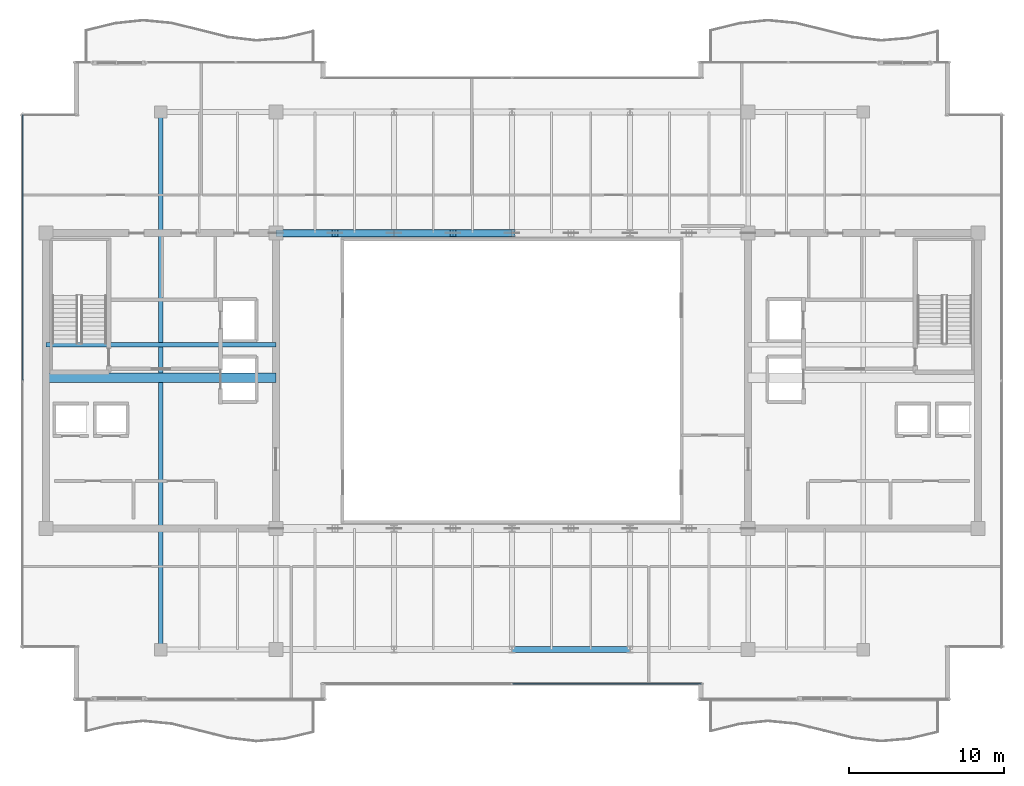
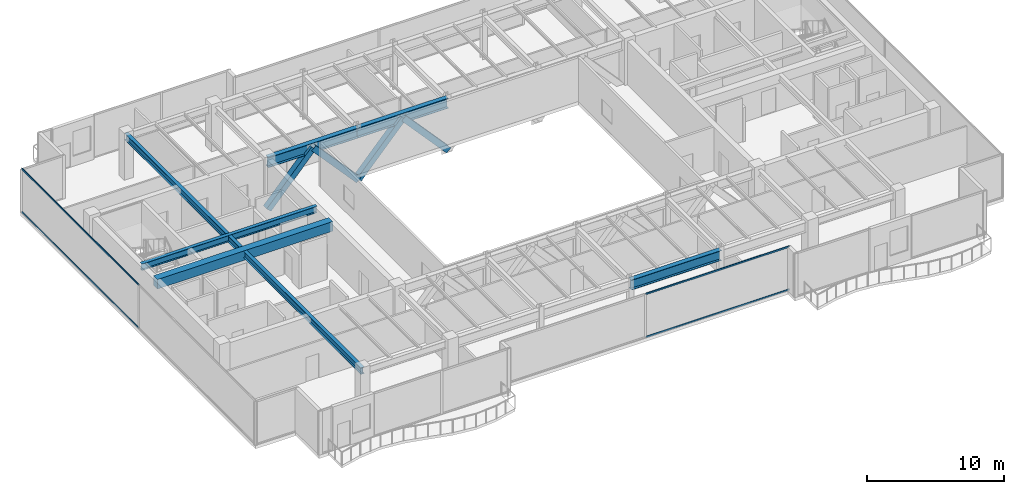
# One storey, part 9 of 31: 8 members, 6 beams, 2 elements without a shape of their own.
"""IFC4 building model written with IfcOpenShell, lengths in metres."""

from ifc_helpers import new_model, si_unit, direction, frame, origin, origin_2d, place, context, subcontext, project, spatial, rectangle, hollow_rectangle, i_section, extrude, source, transform, mapped, material, layer, layer_set, material_profile, profile_set, type_object, type_shapes, element, aggregate, save


model = new_model("IFC4")

# Units and contexts
model_context = context("Model", 3, precision=1e-05, world=origin(), true_north=direction((0.0, 1.0)))
body_context = subcontext(model_context, "Body", "Model", "MODEL_VIEW")
ifc_project = project(units=[si_unit("LENGTHUNIT", "METRE"), si_unit("AREAUNIT", "SQUARE_METRE"), si_unit("VOLUMEUNIT", "CUBIC_METRE"), si_unit("PLANEANGLEUNIT", "RADIAN"), si_unit("MASSUNIT", "GRAM", prefix="KILO")], contexts=[model_context])

# Site, building, storey
site_placement = place(None, origin())
site = spatial("IfcSite", under=ifc_project, at=site_placement, CompositionType="ELEMENT")
building_placement = place(site_placement, origin())
building = spatial("IfcBuilding", under=site, at=building_placement, Name="Haelvirn Gate Laboratories", CompositionType="ELEMENT")
storey_placement = place(building_placement, frame((0.0, 0.0, 310.199951171875)))
storey = spatial("IfcBuildingStorey", under=building, at=storey_placement, Name="L74", CompositionType="ELEMENT", Elevation=310.199951171875)

# Beams
ifc_material_1 = material(Name="Steel SM355", Category="steel")
ifc_material_profile_1 = material_profile(ifc_material_1, i_section(OverallWidth=0.300048828125, OverallDepth=0.587890625, WebThickness=0.011962890625, FlangeThickness=0.02001953125, at=origin_2d()), Name="H-588x300x12x20")
ifc_profile_set_1 = profile_set([ifc_material_profile_1], Name="Steel SM355")
beam_type_1 = type_object("IfcBeamType", Name="BM-G-588", PredefinedType="BEAM", material=ifc_profile_set_1)
shared_shape_1 = source(origin(), body_context, "Body", "SweptSolid", [
    extrude(i_section(OverallWidth=0.300048828125, OverallDepth=0.587890625, WebThickness=0.011962890625, FlangeThickness=0.02001953125, at=origin_2d()), origin(), (0.0, 0.0, 1.0), 14.800048828125),
])
beam_1_placement = place(storey_placement, frame((7.39990234375, 26.6201171875, 3.60595703125), z_axis=(1.0, 0.0, 0.0), x_axis=(0.0, 1.0, 0.0)))
element("IfcBeam", 1, at=beam_1_placement, inside=storey, type_object=beam_type_1, Name="L74 Stair ST1 Landing Header", PredefinedType="BEAM", context=body_context, shape_type="MappedRepresentation", body=[
    mapped(shared_shape_1, transform((0.0, 0.0, 0.0), scale=1.0)),
])
ifc_material_2 = material(Name="Steel SM420", Category="steel")
ifc_material_profile_2 = material_profile(ifc_material_2, i_section(OverallWidth=0.39990234375, OverallDepth=0.89990234375, WebThickness=0.01904296875, FlangeThickness=0.031982421875, at=origin_2d()), Name="H-900x400x19x32")
ifc_profile_set_2 = profile_set([ifc_material_profile_2], Name="Steel SM420")
beam_type_2 = type_object("IfcBeamType", Name="BM-TG-900", PredefinedType="BEAM", material=ifc_profile_set_2)
shared_shape_2 = source(origin(), body_context, "Body", "SweptSolid", [
    extrude(i_section(OverallWidth=0.39990234375, OverallDepth=0.89990234375, WebThickness=0.01904296875, FlangeThickness=0.031982421875, at=origin_2d()), origin(), (0.0, 0.0, 1.0), 7.60009765625),
])
for number, where, z_axis, x_axis, name in (
    (2, (37.39990234375, 7.0, 3.449951171875), (1.0, 0.0, 0.0), (0.0, 1.0, 0.0), "L74 Primary Girder Y7.0 (37.4-45.0)"),
    (3, (22.199951171875, 33.800048828125, 3.449951171875), (1.0, 0.0, 0.0), (0.0, 1.0, 0.0), "L74 Primary Girder Y33.8 (22.2-29.8)"),
):
    element("IfcBeam", number, at=place(storey_placement, frame(where, z_axis=z_axis, x_axis=x_axis)), inside=storey, type_object=beam_type_2, Name=name, PredefinedType="BEAM", context=body_context, shape_type="MappedRepresentation", body=[
        mapped(shared_shape_2, transform((0.0, 0.0, 0.0), scale=1.0)),
    ])
shared_shape_3 = source(origin(), body_context, "Body", "SweptSolid", [
    extrude(i_section(OverallWidth=0.39990234375, OverallDepth=0.89990234375, WebThickness=0.01904296875, FlangeThickness=0.031982421875, at=origin_2d()), origin(), (0.0, 0.0, 1.0), 7.599853515625),
])
type_shapes(beam_type_2, [shared_shape_2, shared_shape_3])
beam_2_placement = place(storey_placement, frame((29.800048828125, 33.800048828125, 3.449951171875), z_axis=(1.0, 0.0, 0.0), x_axis=(0.0, 1.0, 0.0)))
element("IfcBeam", 4, at=beam_2_placement, inside=storey, type_object=beam_type_2, Name="L74 Primary Girder Y33.8 (29.8-37.4)", PredefinedType="BEAM", context=body_context, shape_type="MappedRepresentation", body=[
    mapped(shared_shape_3, transform((0.0, 0.0, 0.0), scale=1.0)),
])
shared_shape_4 = source(origin(), body_context, "Body", "SweptSolid", [
    extrude(i_section(OverallWidth=0.300048828125, OverallDepth=0.587890625, WebThickness=0.011962890625, FlangeThickness=0.02001953125, at=origin_2d()), origin(), (0.0, 0.0, 1.0), 34.60009765625),
])
type_shapes(beam_type_1, [shared_shape_1, shared_shape_4])
beam_3_placement = place(storey_placement, frame((14.800048828125, 7.0, 3.60595703125), z_axis=(0.0, 1.0, 0.0), x_axis=(-1.0, 0.0, 0.0)))
element("IfcBeam", 5, at=beam_3_placement, inside=storey, type_object=beam_type_1, Name="L74 Frame Girder X14.8 (7.0-41.6)", PredefinedType="BEAM", context=body_context, shape_type="MappedRepresentation", body=[
    mapped(shared_shape_4, transform((0.0, 0.0, 0.0), scale=1.0)),
])
ifc_material_3 = material(Name="Concrete C50/60", Category="concrete")
ifc_material_profile_3 = material_profile(ifc_material_3, rectangle(XDim=0.60009765625, YDim=0.85009765625, at=origin_2d()), Name="RCB-600x850")
ifc_profile_set_3 = profile_set([ifc_material_profile_3], Name="Concrete C50/60")
beam_type_3 = type_object("IfcBeamType", Name="BM-RCB-850", PredefinedType="LINTEL", material=ifc_profile_set_3)
shared_shape_5 = source(origin(), body_context, "Body", "SweptSolid", [
    extrude(rectangle(XDim=0.60009765625, YDim=0.85009765625, at=origin_2d()), origin(), (0.0, 0.0, 1.0), 14.800048828125),
])
type_shapes(beam_type_3, [shared_shape_5])
beam_4_placement = place(storey_placement, frame((7.39990234375, 24.5, 3.47509765625), z_axis=(1.0, 0.0, 0.0), x_axis=(0.0, 1.0, 0.0)))
element("IfcBeam", 6, at=beam_4_placement, inside=storey, type_object=beam_type_3, Name="L74 West Core Coupling Beam", PredefinedType="LINTEL", context=body_context, shape_type="MappedRepresentation", body=[
    mapped(shared_shape_5, transform((0.0, 0.0, 0.0), scale=1.0)),
])

# Members
ifc_material_profile_4 = material_profile(ifc_material_2, hollow_rectangle(XDim=0.5, YDim=0.5, WallThickness=0.02197265625, at=origin_2d()), Name="BOX-500x500x22")
ifc_profile_set_4 = profile_set([ifc_material_profile_4], Name="Steel SM420")
member_type_1 = type_object("IfcMemberType", Name="MEM-ARCH-WEB", PredefinedType="BRACE", material=ifc_profile_set_4)
shared_shape_6 = source(origin(), body_context, "Body", "SweptSolid", [
    extrude(hollow_rectangle(XDim=0.5, YDim=0.5, WallThickness=0.02197265625, at=origin_2d()), origin(), (0.0, 0.0, 1.0), 5.663818359375),
])
type_shapes(member_type_1, [shared_shape_6])
for number, where, z_axis, x_axis, name in (
    (7, (22.199951171875, 33.800048828125, -0.75), (0.670922353302, 0.0, 0.741527609628), (0.0, 1.0, 0.0), "L74 Arch Truss Chevron Web Y33.8-1A"),
    (8, (26.0, 33.800048828125, 3.449951171875), (0.670922353302, 0.0, -0.741527609628), (0.0, 1.0, 0.0), "L74 Arch Truss Chevron Web Y33.8-1B"),
    (9, (29.800048828125, 33.800048828125, -0.75), (0.670922353302, 0.0, 0.741527609628), (0.0, 1.0, 0.0), "L74 Arch Truss Chevron Web Y33.8-2A"),
    (10, (33.60009765625, 33.800048828125, 3.449951171875), (0.670898650667, 0.0, -0.741549054705), (0.0, 1.0, 0.0), "L74 Arch Truss Chevron Web Y33.8-2B"),
):
    element("IfcMember", number, at=place(storey_placement, frame(where, z_axis=z_axis, x_axis=x_axis)), inside=storey, type_object=member_type_1, Name=name, PredefinedType="BRACE", context=body_context, shape_type="MappedRepresentation", body=[
        mapped(shared_shape_6, transform((0.0, 0.0, 0.0), scale=1.0)),
    ])

# Curtain wall, members
ifc_material_4 = material(Name="Anodised bronze unitised aluminium & triple low-E glass", Category="aluminium")
ifc_layer = layer(ifc_material_4, 0.176025390625, Name="CW-SYS-4")
ifc_layer_set = layer_set([ifc_layer], Name="Anodised bronze unitised aluminium & triple low-E glass")
curtain_wall_type = type_object("IfcCurtainWallType", Name="CW-SYS-4", PredefinedType="NOTDEFINED", material=ifc_layer_set)
curtain_wall_1_placement = place(storey_placement, origin())
curtain_wall_1 = element("IfcCurtainWall", 11, at=curtain_wall_1_placement, inside=storey, type_object=curtain_wall_type, Name="L74 Unitised Curtain Wall CW-L74-P0-E02-1", PredefinedType="NOTDEFINED")
ifc_material_5 = material(Name="Extruded aluminium 6063-T6 (anodised bronze)", Category="aluminium")
ifc_material_profile_5 = material_profile(ifc_material_5, hollow_rectangle(XDim=0.06494140625, YDim=0.139892578125, WallThickness=0.00390625, at=origin_2d()), Name="CWT-140x65x4")
ifc_profile_set_5 = profile_set([ifc_material_profile_5], Name="Extruded aluminium 6063-T6 (anodised bronze)")
member_type_2 = type_object("IfcMemberType", Name="CWT-T140", PredefinedType="USERDEFINED", material=ifc_profile_set_5)
shared_shape_7 = source(origin(), body_context, "Body", "SweptSolid", [
    extrude(hollow_rectangle(XDim=0.06494140625, YDim=0.139892578125, WallThickness=0.00390625, at=origin_2d()), origin(), (0.0, 0.0, 1.0), 12.135009765625),
])
member_1_placement = place(storey_placement, frame((37.43505859375, 4.800048828125, 0.032470703125), z_axis=(1.0, 0.0, 0.0), x_axis=(0.0, 1.0, 0.0)))
member_1 = element("IfcMember", 12, at=member_1_placement, type_object=member_type_2, Name="CW4 transom 2.1", ObjectType="TRANSOM", PredefinedType="USERDEFINED", context=body_context, shape_type="MappedRepresentation", body=[
    mapped(shared_shape_7, transform((0.0, 0.0, 0.0), scale=1.0)),
])
member_2_placement = place(storey_placement, frame((37.43505859375, 4.800048828125, 3.867431640625), z_axis=(1.0, 0.0, 0.0), x_axis=(0.0, 1.0, 0.0)))
member_2 = element("IfcMember", 13, at=member_2_placement, type_object=member_type_2, Name="CW4 transom 2.2", ObjectType="TRANSOM", PredefinedType="USERDEFINED", context=body_context, shape_type="MappedRepresentation", body=[
    mapped(shared_shape_7, transform((0.0, 0.0, 0.0), scale=1.0)),
])
aggregate(curtain_wall_1, [member_1, member_2])

curtain_wall_2_placement = place(storey_placement, origin())
curtain_wall_2 = element("IfcCurtainWall", 14, at=curtain_wall_2_placement, inside=storey, type_object=curtain_wall_type, Name="L74 Unitised Curtain Wall CW-L74-P0-E17", PredefinedType="NOTDEFINED")
shared_shape_8 = source(origin(), body_context, "Body", "SweptSolid", [
    extrude(hollow_rectangle(XDim=0.06494140625, YDim=0.139892578125, WallThickness=0.00390625, at=origin_2d()), origin(), (0.0, 0.0, 1.0), 17.094970703125),
])
type_shapes(member_type_2, [shared_shape_7, shared_shape_8])
member_3_placement = place(storey_placement, frame((5.89990234375, 41.429931640625, 0.032470703125), z_axis=(0.0, -1.0, 0.0), x_axis=(1.0, 0.0, 0.0)))
member_3 = element("IfcMember", 15, at=member_3_placement, type_object=member_type_2, Name="CW4 transom 1.1", ObjectType="TRANSOM", PredefinedType="USERDEFINED", context=body_context, shape_type="MappedRepresentation", body=[
    mapped(shared_shape_8, transform((0.0, 0.0, 0.0), scale=1.0)),
])
member_4_placement = place(storey_placement, frame((5.89990234375, 41.429931640625, 3.867431640625), z_axis=(0.0, -1.0, 0.0), x_axis=(1.0, 0.0, 0.0)))
member_4 = element("IfcMember", 16, at=member_4_placement, type_object=member_type_2, Name="CW4 transom 1.2", ObjectType="TRANSOM", PredefinedType="USERDEFINED", context=body_context, shape_type="MappedRepresentation", body=[
    mapped(shared_shape_8, transform((0.0, 0.0, 0.0), scale=1.0)),
])
aggregate(curtain_wall_2, [member_3, member_4])

save(model, "model.ifc")
